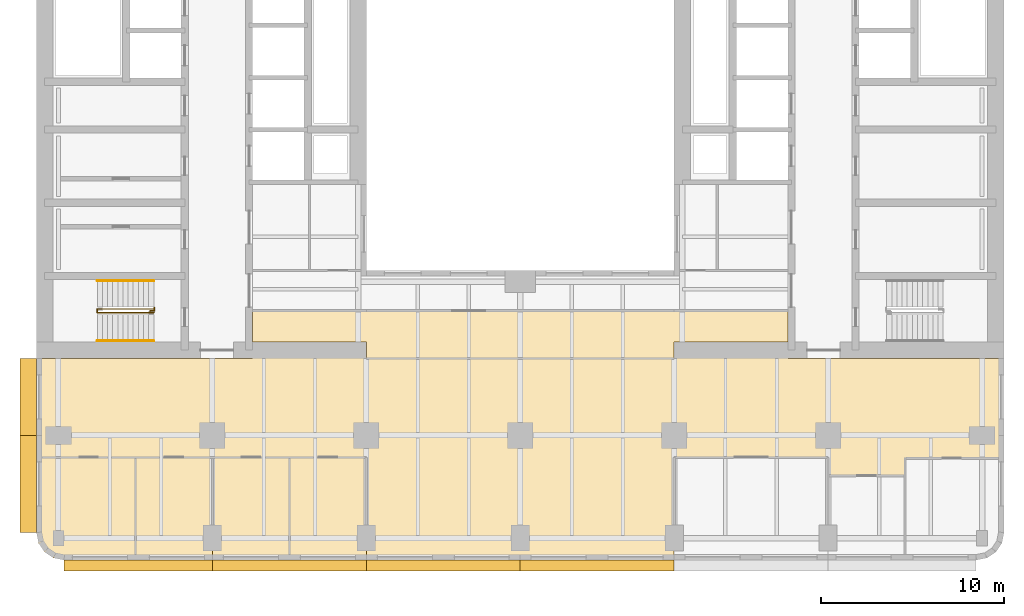
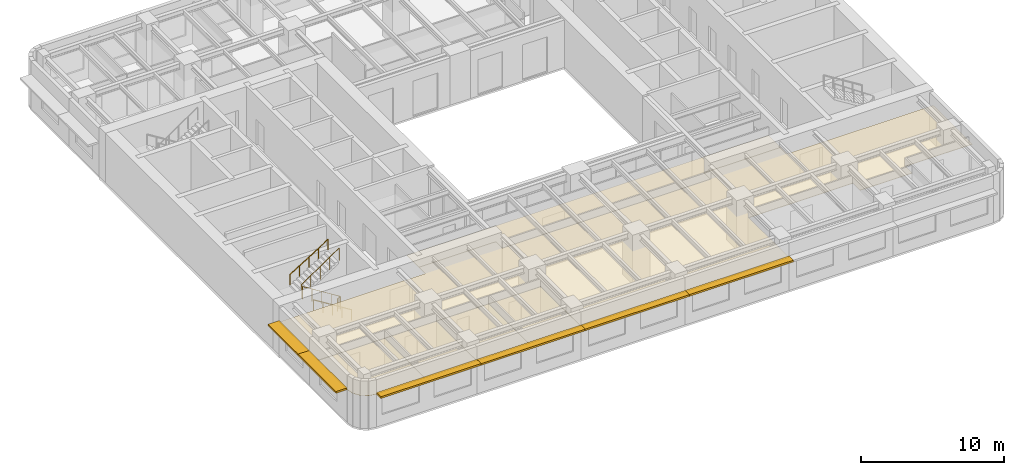
# One storey, part 9 of 11: 6 coverings, 6 shading devices, 4 railings.
"""IFC4 building model written with IfcOpenShell, lengths in metres."""

from ifc_helpers import new_model, si_unit, direction, frame, origin, origin_2d, place, context, subcontext, project, spatial, polyline, rectangle, circle, outline, extrude, material, layer, layer_set, type_object, element, save


model = new_model("IFC4")

# Units and contexts
model_context = context("Model", 3, precision=1e-05, world=origin(), true_north=direction((0.0, 1.0)))
body_context = subcontext(model_context, "Body", "Model", "MODEL_VIEW")
ifc_project = project(units=[si_unit("LENGTHUNIT", "METRE"), si_unit("AREAUNIT", "SQUARE_METRE"), si_unit("VOLUMEUNIT", "CUBIC_METRE"), si_unit("PLANEANGLEUNIT", "RADIAN"), si_unit("MASSUNIT", "GRAM", prefix="KILO")], contexts=[model_context])

# Site, building, storey
site_placement = place(None, origin())
site = spatial("IfcSite", under=ifc_project, at=site_placement, CompositionType="ELEMENT")
building_placement = place(site_placement, origin())
building = spatial("IfcBuilding", under=site, at=building_placement, Name="Claustro Exchange Tower", CompositionType="ELEMENT")
storey_placement = place(building_placement, frame((0.0, 0.0, 105.0)))
storey = spatial("IfcBuildingStorey", under=building, at=storey_placement, Name="L23", CompositionType="ELEMENT", Elevation=105.0)

# Coverings
ifc_material_1 = material(Name="Perforated metal ceiling tiles", Category="steel")
ifc_layer_1 = layer(ifc_material_1, 0.030029296875)
ifc_layer_set_1 = layer_set([ifc_layer_1], Name="Perforated metal ceiling tiles")
covering_type_1 = type_object("IfcCoveringType", Name="CL1 suspended metal ceiling", PredefinedType="CEILING", material=ifc_layer_set_1)
covering_1_placement = place(storey_placement, frame((0.0, 0.0, 2.800048828125)))
element("IfcCovering", 1, at=covering_1_placement, inside=storey, type_object=covering_type_1, Name="Ceiling CL1 L23-08", PredefinedType="CEILING", context=body_context, shape_type="SweptSolid", body=[
    extrude(outline(polyline([(-1.199951171875, 12.60009765625), (-1.199951171875, 7.199951171875), (4.199951171875, 7.199951171875), (8.39990234375, 7.199951171875), (12.60009765625, 7.199951171875), (16.800048828125, 7.199951171875), (16.800048828125, 1.60009765625), (33.60009765625, 1.60009765625), (33.60009765625, 7.199951171875), (42.0, 7.199951171875), (42.0, 6.199951171875), (46.199951171875, 6.199951171875), (46.199951171875, 7.14990234375), (51.60009765625, 7.14990234375), (51.60009765625, 12.60009765625), (39.800048828125, 12.60009765625), (39.800048828125, 13.5), (33.60009765625, 13.5), (33.60009765625, 12.60009765625), (16.800048828125, 12.60009765625), (16.800048828125, 13.5), (10.60009765625, 13.5), (10.60009765625, 12.60009765625), (-1.199951171875, 12.60009765625)])), origin(), (0.0, 0.0, 1.0), 0.030029296875),
])
ifc_material_2 = material(Name="Gypsum board ceiling", Category="gypsum board")
ifc_layer_2 = layer(ifc_material_2, 0.02490234375)
ifc_layer_set_2 = layer_set([ifc_layer_2], Name="Gypsum board ceiling")
covering_type_2 = type_object("IfcCoveringType", Name="CL2 plasterboard ceiling", PredefinedType="CEILING", material=ifc_layer_set_2)
covering_2_placement = place(storey_placement, frame((0.0, 0.0, 2.800048828125)))
element("IfcCovering", 2, at=covering_2_placement, inside=storey, type_object=covering_type_2, Name="Ceiling CL2 L23-02", PredefinedType="CEILING", context=body_context, shape_type="SweptSolid", body=[
    extrude(outline(polyline([(-1.085693359375, 2.52587890625), (-0.7607421875, 2.039306640625), (-0.27392578125, 1.714111328125), (0.300048828125, 1.60009765625), (4.199951171875, 1.60009765625), (4.199951171875, 7.199951171875), (-1.199951171875, 7.199951171875), (-1.199951171875, 3.10009765625), (-1.085693359375, 2.52587890625)])), origin(), (0.0, 0.0, 1.0), 0.02490234375),
])
covering_3_placement = place(storey_placement, frame((0.0, 0.0, 2.800048828125)))
element("IfcCovering", 3, at=covering_3_placement, inside=storey, type_object=covering_type_2, Name="Ceiling CL2 L23-03", PredefinedType="CEILING", context=body_context, shape_type="SweptSolid", body=[
    extrude(outline(polyline([(4.199951171875, 1.60009765625), (8.39990234375, 1.60009765625), (8.39990234375, 7.199951171875), (4.199951171875, 7.199951171875), (4.199951171875, 1.60009765625)])), origin(), (0.0, 0.0, 1.0), 0.02490234375),
])
covering_4_placement = place(storey_placement, frame((0.0, 0.0, 2.800048828125)))
element("IfcCovering", 4, at=covering_4_placement, inside=storey, type_object=covering_type_2, Name="Ceiling CL2 L23-04", PredefinedType="CEILING", context=body_context, shape_type="SweptSolid", body=[
    extrude(outline(polyline([(8.39990234375, 1.60009765625), (12.60009765625, 1.60009765625), (12.60009765625, 7.199951171875), (8.39990234375, 7.199951171875), (8.39990234375, 1.60009765625)])), origin(), (0.0, 0.0, 1.0), 0.02490234375),
])
covering_5_placement = place(storey_placement, frame((0.0, 0.0, 2.800048828125)))
element("IfcCovering", 5, at=covering_5_placement, inside=storey, type_object=covering_type_2, Name="Ceiling CL2 L23-05", PredefinedType="CEILING", context=body_context, shape_type="SweptSolid", body=[
    extrude(outline(polyline([(12.60009765625, 1.60009765625), (16.800048828125, 1.60009765625), (16.800048828125, 7.199951171875), (12.60009765625, 7.199951171875), (12.60009765625, 1.60009765625)])), origin(), (0.0, 0.0, 1.0), 0.02490234375),
])
covering_6_placement = place(storey_placement, frame((0.0, 0.0, 2.800048828125)))
element("IfcCovering", 6, at=covering_6_placement, inside=storey, type_object=covering_type_2, Name="Ceiling CL2 L23-09", PredefinedType="CEILING", context=body_context, shape_type="SweptSolid", body=[
    extrude(outline(polyline([(10.60009765625, 15.199951171875), (10.60009765625, 13.5), (16.800048828125, 13.5), (16.800048828125, 12.60009765625), (33.60009765625, 12.60009765625), (33.60009765625, 13.5), (39.800048828125, 13.5), (39.800048828125, 15.199951171875), (33.60009765625, 15.199951171875), (16.800048828125, 15.199951171875), (10.60009765625, 15.199951171875)])), origin(), (0.0, 0.0, 1.0), 0.02490234375),
])

# Railings
ifc_material_3 = material(Name="Steel balustrade, painted", Category="steel")
railing_type_1 = type_object("IfcRailingType", Name="GR2 1100 steel stair guard", PredefinedType="GUARDRAIL", material=ifc_material_3)
railing_1_placement = place(storey_placement, frame((5.199951171875, 15.10009765625, 0.175048828125)))
element("IfcRailing", 7, at=railing_1_placement, inside=storey, type_object=railing_type_1, Name="Stair well guard GR2 stair STWA L23", PredefinedType="GUARDRAIL", context=body_context, shape_type="SweptSolid", body=[
    extrude(circle(Radius=0.02392578125, at=origin_2d()), frame((0.0, 0.0, 1.076171875), z_axis=(-0.847979421464, 0.0, 0.530029150871), x_axis=(0.0, -1.0, 0.0)), (0.0, 0.0, 1.0), 3.632080078125),
    extrude(circle(Radius=0.02392578125, at=origin_2d()), frame((-3.079833984375, 0.0, 3.0009765625), z_axis=(0.0, 1.0, 0.0), x_axis=(-1.0, 0.0, 0.0)), (0.0, 0.0, 1.0), 0.199951171875),
    extrude(circle(Radius=0.02392578125, at=origin_2d()), frame((-3.079833984375, 0.199951171875, 3.0009765625), z_axis=(0.826231499792, 0.0, 0.563330727682), x_axis=(0.0, 1.0, 0.0)), (0.0, 0.0, 1.0), 3.7275390625),
    extrude(circle(Radius=0.02099609375, at=origin_2d()), origin(), (0.0, 0.0, 1.0), 1.052001953125),
    extrude(circle(Radius=0.02099609375, at=origin_2d()), frame((-0.77001953125, 0.0, 0.481201171875)), (0.0, 0.0, 1.0), 1.052001953125),
    extrude(circle(Radius=0.02099609375, at=origin_2d()), frame((-1.5400390625, 0.0, 0.96240234375)), (0.0, 0.0, 1.0), 1.052001953125),
    extrude(circle(Radius=0.02099609375, at=origin_2d()), frame((-2.309814453125, 0.0, 1.44384765625)), (0.0, 0.0, 1.0), 1.052001953125),
    extrude(circle(Radius=0.02099609375, at=origin_2d()), frame((-3.079833984375, 0.0, 1.925048828125)), (0.0, 0.0, 1.0), 1.052001953125),
    extrude(circle(Radius=0.02099609375, at=origin_2d()), frame((-3.079833984375, 0.199951171875, 1.925048828125)), (0.0, 0.0, 1.0), 1.052001953125),
    extrude(circle(Radius=0.02099609375, at=origin_2d()), frame((-2.309814453125, 0.199951171875, 2.449951171875)), (0.0, 0.0, 1.0), 1.052001953125),
    extrude(circle(Radius=0.02099609375, at=origin_2d()), frame((-1.5400390625, 0.199951171875, 2.97509765625)), (0.0, 0.0, 1.0), 1.052001953125),
    extrude(circle(Radius=0.02099609375, at=origin_2d()), frame((-0.77001953125, 0.199951171875, 3.5)), (0.0, 0.0, 1.0), 1.052001953125),
    extrude(circle(Radius=0.02099609375, at=origin_2d()), frame((0.0, 0.199951171875, 4.02490234375)), (0.0, 0.0, 1.0), 1.052001953125),
])
railing_2_placement = place(storey_placement, frame((5.0, 15.169921875, 0.0)))
element("IfcRailing", 8, at=railing_2_placement, inside=storey, type_object=railing_type_1, Name="Stair guard GR2 STWA L23", PredefinedType="GUARDRAIL", context=body_context, shape_type="SweptSolid", body=[
    extrude(circle(Radius=0.02392578125, at=origin_2d()), frame((0.0, 0.0, 1.076171875), z_axis=(0.0, 1.0, 0.0), x_axis=(-1.0, 0.0, 0.0)), (0.0, 0.0, 1.0), 0.030029296875),
    extrude(circle(Radius=0.02392578125, at=origin_2d()), frame((0.0, 0.030029296875, 1.076171875), z_axis=(1.0, 0.0, 0.0), x_axis=(0.0, 1.0, 0.0)), (0.0, 0.0, 1.0), 0.22509765625),
    extrude(circle(Radius=0.02392578125, at=origin_2d()), frame((0.22509765625, 0.030029296875, 1.076171875), z_axis=(0.0, 1.0, 0.0), x_axis=(-1.0, 0.0, 0.0)), (0.0, 0.0, 1.0), 0.179931640625),
    extrude(circle(Radius=0.02099609375, at=origin_2d()), origin(), (0.0, 0.0, 1.0), 1.052001953125),
    extrude(circle(Radius=0.02099609375, at=origin_2d()), frame((0.0, 0.030029296875, 0.0)), (0.0, 0.0, 1.0), 1.052001953125),
    extrude(circle(Radius=0.02099609375, at=origin_2d()), frame((0.22509765625, 0.030029296875, 0.0)), (0.0, 0.0, 1.0), 1.052001953125),
    extrude(circle(Radius=0.02099609375, at=origin_2d()), frame((0.22509765625, 0.2099609375, 0.0)), (0.0, 0.0, 1.0), 1.052001953125),
])
ifc_material_4 = material(Name="Stainless steel tube", Category="steel")
railing_type_2 = type_object("IfcRailingType", Name="HR1 900 stair handrail", PredefinedType="HANDRAIL", material=ifc_material_4)
railing_3_placement = place(storey_placement, frame((5.199951171875, 13.56005859375, 0.175048828125)))
element("IfcRailing", 9, at=railing_3_placement, inside=storey, type_object=railing_type_2, Name="Handrail HR1 stair STWA L23", PredefinedType="HANDRAIL", context=body_context, shape_type="SweptSolid", body=[
    extrude(circle(Radius=0.02392578125, at=origin_2d()), frame((0.0, 0.0, 0.8759765625), z_axis=(-0.847979421464, 0.0, 0.530029150871), x_axis=(0.0, -1.0, 0.0)), (0.0, 0.0, 1.0), 3.632080078125),
    extrude(circle(Radius=0.02099609375, at=origin_2d()), origin(), (0.0, 0.0, 1.0), 0.851806640625),
    extrude(circle(Radius=0.02099609375, at=origin_2d()), frame((-0.77001953125, 0.0, 0.481201171875)), (0.0, 0.0, 1.0), 0.851806640625),
    extrude(circle(Radius=0.02099609375, at=origin_2d()), frame((-1.5400390625, 0.0, 0.96240234375)), (0.0, 0.0, 1.0), 0.851806640625),
    extrude(circle(Radius=0.02099609375, at=origin_2d()), frame((-2.309814453125, 0.0, 1.44384765625)), (0.0, 0.0, 1.0), 0.851806640625),
    extrude(circle(Radius=0.02099609375, at=origin_2d()), frame((-3.079833984375, 0.0, 1.925048828125)), (0.0, 0.0, 1.0), 0.851806640625),
])
railing_4_placement = place(storey_placement, frame((2.1201171875, 16.840087890625, 2.27490234375)))
element("IfcRailing", 10, at=railing_4_placement, inside=storey, type_object=railing_type_2, Name="Handrail HR1 stair STWA L23", PredefinedType="HANDRAIL", context=body_context, shape_type="SweptSolid", body=[
    extrude(circle(Radius=0.02392578125, at=origin_2d()), frame((0.0, 0.0, 0.8759765625), z_axis=(0.847979421464, 0.0, 0.530029150871), x_axis=(0.0, 1.0, 0.0)), (0.0, 0.0, 1.0), 3.632080078125),
    extrude(circle(Radius=0.02099609375, at=origin_2d()), origin(), (0.0, 0.0, 1.0), 0.851806640625),
    extrude(circle(Radius=0.02099609375, at=origin_2d()), frame((0.77001953125, 0.0, 0.481201171875)), (0.0, 0.0, 1.0), 0.851806640625),
    extrude(circle(Radius=0.02099609375, at=origin_2d()), frame((1.5400390625, 0.0, 0.96240234375)), (0.0, 0.0, 1.0), 0.851806640625),
    extrude(circle(Radius=0.02099609375, at=origin_2d()), frame((2.309814453125, 0.0, 1.44384765625)), (0.0, 0.0, 1.0), 0.851806640625),
    extrude(circle(Radius=0.02099609375, at=origin_2d()), frame((3.079833984375, 0.0, 1.925048828125)), (0.0, 0.0, 1.0), 0.851806640625),
])

# Shading devices
ifc_material_5 = material(Name="Concrete HA-40 (C40/50), precast, white cement, acid-etched", Category="concrete")
ifc_layer_3 = layer(ifc_material_5, 0.14990234375)
ifc_layer_set_3 = layer_set([ifc_layer_3], Name="Concrete HA-40 (C40/50), precast, white cement, acid-etched")
shading_device_type_1 = type_object("IfcShadingDeviceType", Name="SS1 600 precast concrete SUNSHADE", PredefinedType="SHUTTER", material=ifc_layer_set_3)
for number, where, z_axis, x_axis, name in (
    (11, (29.39990234375, 1.300048828125, 2.800048828125), (0.0, 0.0, 1.0), (-1.0, 0.0, 0.0), "Precast SUNSHADE SS1 L23"),
    (12, (21.0, 1.300048828125, 2.800048828125), (0.0, 0.0, 1.0), (-1.0, 0.0, 0.0), "Precast SUNSHADE SS1 L23"),
    (13, (12.60009765625, 1.300048828125, 2.800048828125), (0.0, 0.0, 1.0), (-1.0, 0.0, 0.0), "Precast SUNSHADE SS1 L23"),
):
    element("IfcShadingDevice", number, at=place(storey_placement, frame(where, z_axis=z_axis, x_axis=x_axis)), inside=storey, type_object=shading_device_type_1, Name=name, PredefinedType="SHUTTER", context=body_context, shape_type="SweptSolid", body=[
        extrude(rectangle(XDim=8.39990234375, YDim=0.60009765625, at=origin_2d()), origin(), (0.0, 0.0, 1.0), 0.14990234375),
    ])
shading_device_1_placement = place(storey_placement, frame((4.357421875, 1.300048828125, 2.800048828125), z_axis=(0.0, 0.0, 1.0), x_axis=(-1.0, 0.0, 0.0)))
element("IfcShadingDevice", 14, at=shading_device_1_placement, inside=storey, type_object=shading_device_type_1, Name="Precast SUNSHADE SS1 L23", PredefinedType="SHUTTER", context=body_context, shape_type="SweptSolid", body=[
    extrude(rectangle(XDim=8.085205078125, YDim=0.60009765625, at=origin_2d()), origin(), (0.0, 0.0, 1.0), 0.14990234375),
])
ifc_material_6 = material(Name="Concrete HA-40 (C40/50), precast, white cement, acid-etched", Category="concrete")
ifc_layer_4 = layer(ifc_material_6, 0.14990234375)
ifc_layer_set_4 = layer_set([ifc_layer_4], Name="Concrete HA-40 (C40/50), precast, white cement, acid-etched")
shading_device_type_2 = type_object("IfcShadingDeviceType", Name="SS2 900 precast concrete SUNSHADE", PredefinedType="SHUTTER", material=ifc_layer_set_4)
shading_device_2_placement = place(storey_placement, frame((-1.64990234375, 5.75732421875, 2.800048828125), z_axis=(0.0, 0.0, 1.0), x_axis=(0.0, 1.0, 0.0)))
element("IfcShadingDevice", 15, at=shading_device_2_placement, inside=storey, type_object=shading_device_type_2, Name="Precast SUNSHADE SS2 L23", PredefinedType="SHUTTER", context=body_context, shape_type="SweptSolid", body=[
    extrude(rectangle(XDim=5.28515625, YDim=0.89990234375, at=origin_2d()), origin(), (0.0, 0.0, 1.0), 0.14990234375),
])
shading_device_3_placement = place(storey_placement, frame((-1.64990234375, 10.5, 2.800048828125), z_axis=(0.0, 0.0, 1.0), x_axis=(0.0, 1.0, 0.0)))
element("IfcShadingDevice", 16, at=shading_device_3_placement, inside=storey, type_object=shading_device_type_2, Name="Precast SUNSHADE SS2 L23", PredefinedType="SHUTTER", context=body_context, shape_type="SweptSolid", body=[
    extrude(rectangle(XDim=4.199951171875, YDim=0.89990234375, at=origin_2d()), origin(), (0.0, 0.0, 1.0), 0.14990234375),
])

save(model, "model.ifc")
